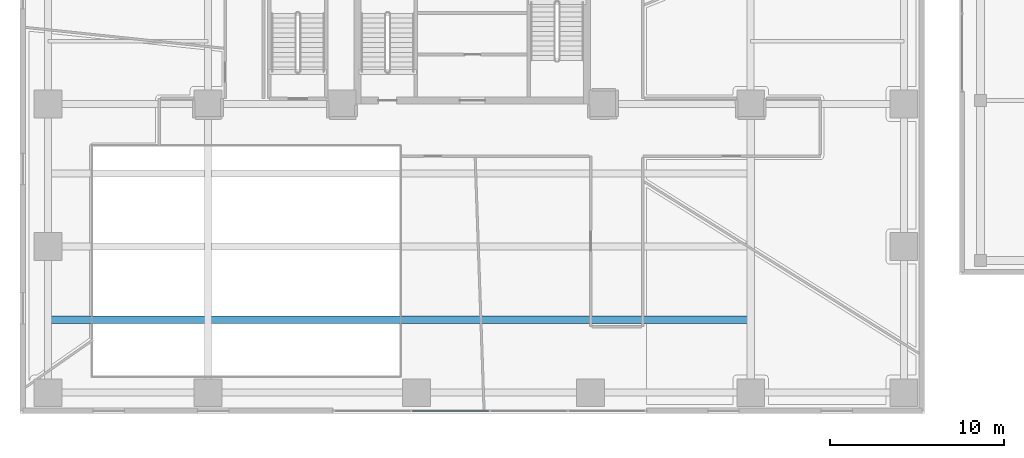
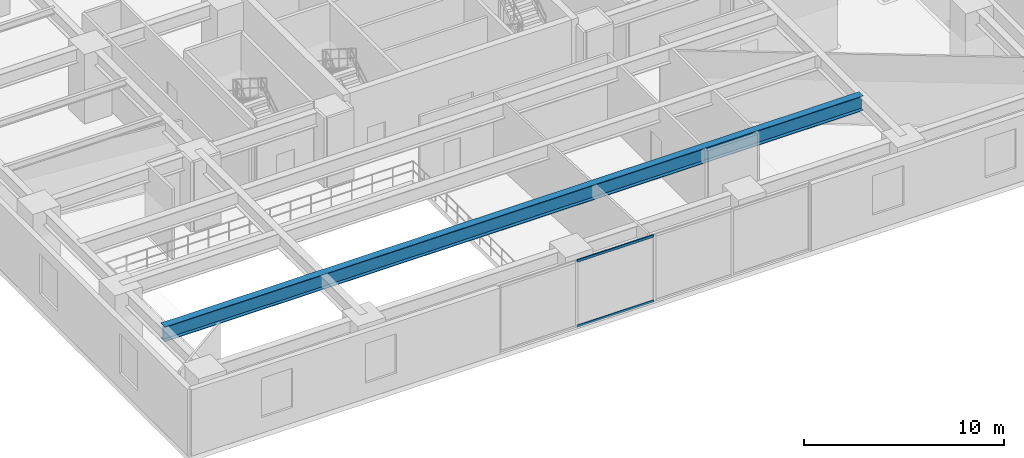
# One storey, part 3 of 25: 2 members, 1 beam, 1 element without a shape of its own.
"""IFC4 building model written with IfcOpenShell, lengths in metres."""

from ifc_helpers import new_model, si_unit, direction, frame, origin, origin_2d, place, context, subcontext, project, spatial, hollow_rectangle, i_section, extrude, source, transform, mapped, material, layer, layer_set, material_profile, profile_set, type_object, type_shapes, element, aggregate, save


model = new_model("IFC4")

# Units and contexts
model_context = context("Model", 3, precision=1e-05, world=origin(), true_north=direction((0.0, 1.0)))
body_context = subcontext(model_context, "Body", "Model", "MODEL_VIEW")
ifc_project = project(units=[si_unit("LENGTHUNIT", "METRE"), si_unit("AREAUNIT", "SQUARE_METRE"), si_unit("VOLUMEUNIT", "CUBIC_METRE"), si_unit("PLANEANGLEUNIT", "RADIAN"), si_unit("MASSUNIT", "GRAM", prefix="KILO")], contexts=[model_context])

# Site, building, storey
site_placement = place(None, origin())
site = spatial("IfcSite", under=ifc_project, at=site_placement, CompositionType="ELEMENT")
building_placement = place(site_placement, origin())
building = spatial("IfcBuilding", under=site, at=building_placement, Name="Talar Marvaseh", CompositionType="ELEMENT")
storey_placement = place(building_placement, frame((0.0, 0.0, 14.39990234375)))
storey = spatial("IfcBuildingStorey", under=building, at=storey_placement, Name="L03", CompositionType="ELEMENT", Elevation=14.39990234375)

# Beam
ifc_material_1 = material(Name="Steel S460", Category="steel")
ifc_material_profile_1 = material_profile(ifc_material_1, i_section(OverallWidth=0.41796875, OverallDepth=0.912109375, WebThickness=0.019287109375, FlangeThickness=0.031982421875, at=origin_2d()), Name="W920x342")
ifc_profile_set_1 = profile_set([ifc_material_profile_1], Name="Steel S460")
beam_type = type_object("IfcBeamType", Name="Auditorium Long-Span Girder W920x342", PredefinedType="BEAM", material=ifc_profile_set_1)
beam_placement = place(storey_placement, frame((1.60009765625, 13.39990234375, 3.794189453125), z_axis=(1.0, 0.0, 0.0), x_axis=(0.0, 1.0, 0.0)))
element("IfcBeam", 1, at=beam_placement, inside=storey, type_object=beam_type, Name="L03 Auditorium Long-Span Girder W920x342", PredefinedType="BEAM", context=body_context, shape_type="SweptSolid", body=[
    extrude(i_section(OverallWidth=0.41796875, OverallDepth=0.912109375, WebThickness=0.019287109375, FlangeThickness=0.031982421875, at=origin_2d()), origin(), (0.0, 0.0, 1.0), 40.39990234375),
])

# Curtain wall, members
ifc_material_2 = material(Name="Architectural Aluminium", Category="aluminium")
ifc_layer = layer(ifc_material_2, 0.25)
ifc_layer_set = layer_set([ifc_layer], Name="Architectural Aluminium")
curtain_wall_type = type_object("IfcCurtainWallType", Name="Station Podium Monumental Iwan Curtain Wall", PredefinedType="NOTDEFINED", material=ifc_layer_set)
curtain_wall_placement = place(storey_placement, origin())
curtain_wall = element("IfcCurtainWall", 2, at=curtain_wall_placement, inside=storey, type_object=curtain_wall_type, Name="L03 Station Podium Monumental Iwan Curtain Wall", PredefinedType="NOTDEFINED")
ifc_material_profile_2 = material_profile(ifc_material_2, hollow_rectangle(XDim=0.06494140625, YDim=0.14990234375, WallThickness=0.00390625, at=origin_2d()), Name="RHS150x65x4")
ifc_profile_set_2 = profile_set([ifc_material_profile_2], Name="Architectural Aluminium")
member_type = type_object("IfcMemberType", Name="Unitised Curtain Wall Slim Transom RHS150x65x4", PredefinedType="USERDEFINED", material=ifc_profile_set_2)
shared_shape = source(origin(), body_context, "Body", "SweptSolid", [
    extrude(hollow_rectangle(XDim=0.06494140625, YDim=0.14990234375, WallThickness=0.00390625, at=origin_2d()), origin(), (0.0, 0.0, 1.0), 4.43505859375),
])
type_shapes(member_type, [shared_shape])
member_1_placement = place(storey_placement, frame((26.967529296875, 8.159912109375, 0.03271484375), z_axis=(-1.0, 0.0, 0.0), x_axis=(0.0, -1.0, 0.0)))
member_1 = element("IfcMember", 3, at=member_1_placement, type_object=member_type, Name="CW-POD transom 3.1", ObjectType="TRANSOM", PredefinedType="USERDEFINED", context=body_context, shape_type="MappedRepresentation", body=[
    mapped(shared_shape, transform((0.0, 0.0, 0.0), x_axis=(1.0, 0.0, 0.0), y_axis=(0.0, 1.0, 0.0), z_axis=(0.0, 0.0, 1.0), scale=1.0)),
])
member_2_placement = place(storey_placement, frame((26.967529296875, 8.159912109375, 4.017578125), z_axis=(-1.0, 0.0, 0.0), x_axis=(0.0, -1.0, 0.0)))
member_2 = element("IfcMember", 4, at=member_2_placement, type_object=member_type, Name="CW-POD transom 3.2", ObjectType="TRANSOM", PredefinedType="USERDEFINED", context=body_context, shape_type="MappedRepresentation", body=[
    mapped(shared_shape, transform((0.0, 0.0, 0.0), x_axis=(1.0, 0.0, 0.0), y_axis=(0.0, 1.0, 0.0), z_axis=(0.0, 0.0, 1.0), scale=1.0)),
])
aggregate(curtain_wall, [member_1, member_2])

save(model, "model.ifc")
